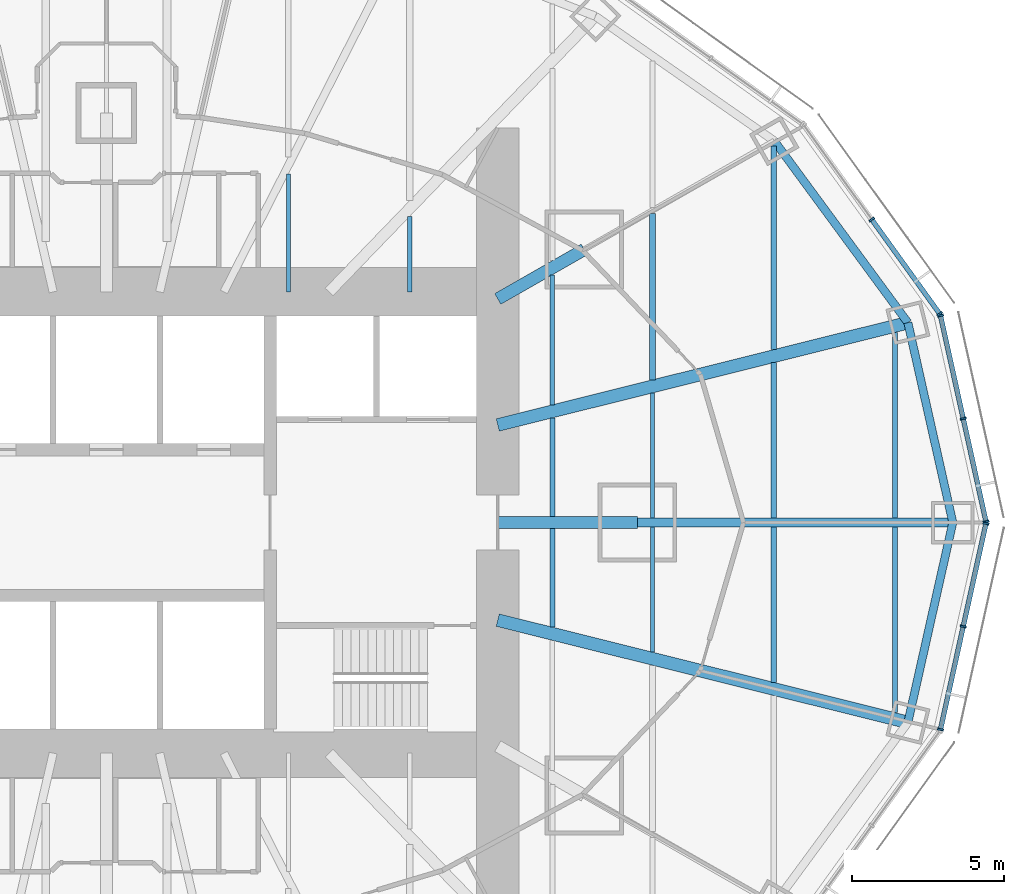
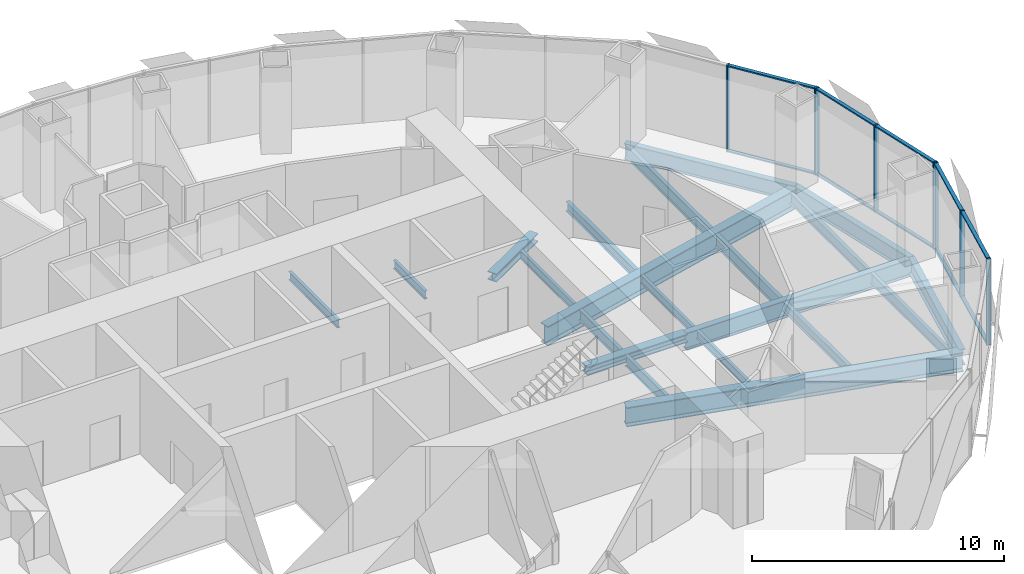
# One storey, part 6 of 18: 21 beams, 18 members, 3 elements without a shape of their own.
"""IFC4 building model written with IfcOpenShell, lengths in metres."""

from ifc_helpers import new_model, si_unit, direction, frame, origin, origin_2d, place, context, subcontext, project, spatial, rectangle, i_section, extrude, material, material_profile, profile_set, type_object, element, aggregate, save


model = new_model("IFC4")

# Units and contexts
model_context = context("Model", 3, precision=1e-05, world=origin(), true_north=direction((0.0, 1.0)))
body_context = subcontext(model_context, "Body", "Model", "MODEL_VIEW")
ifc_project = project(units=[si_unit("LENGTHUNIT", "METRE"), si_unit("AREAUNIT", "SQUARE_METRE"), si_unit("VOLUMEUNIT", "CUBIC_METRE"), si_unit("PLANEANGLEUNIT", "RADIAN"), si_unit("MASSUNIT", "GRAM", prefix="KILO")], contexts=[model_context])

# Site, building, storey
site_placement = place(None, origin())
site = spatial("IfcSite", under=ifc_project, at=site_placement, CompositionType="ELEMENT")
building_placement = place(site_placement, origin())
building = spatial("IfcBuilding", under=site, at=building_placement, Name="Lantaw Convention Tower", CompositionType="ELEMENT")
storey_placement = place(building_placement, frame((0.0, 0.0, 138.39990234375)))
storey = spatial("IfcBuildingStorey", under=building, at=storey_placement, Name="L32", CompositionType="ELEMENT", Elevation=138.39990234375)

# Beams
ifc_material_1 = material(Name="Steel ASTM A992", Category="steel")
ifc_material_profile_1 = material_profile(ifc_material_1, i_section(OverallWidth=0.2666015625, OverallDepth=0.76953125, WebThickness=0.015625, FlangeThickness=0.025390625, FilletRadius=0.0126953125, at=origin_2d()), Name="W30X132")
ifc_profile_set_1 = profile_set([ifc_material_profile_1], Name="Steel ASTM A992")
beam_type_1 = type_object("IfcBeamType", Name="Beam E W30X132", PredefinedType="SPANDREL", material=ifc_profile_set_1)
beam_1_placement = place(storey_placement, frame((27.89990234375, 0.0, -0.53466796875), z_axis=(-0.219211877447, 0.975677279015, 0.0), x_axis=(-0.975677279015, -0.219211877447, 0.0)))
element("IfcBeam", 1, at=beam_1_placement, inside=storey, type_object=beam_type_1, Name="Edge beam 1", PredefinedType="SPANDREL", context=body_context, shape_type="SweptSolid", body=[
    extrude(i_section(OverallWidth=0.2666015625, OverallDepth=0.76953125, WebThickness=0.015625, FlangeThickness=0.025390625, FilletRadius=0.0126953125, at=origin_2d()), origin(), (0.0, 0.0, 1.0), 6.75146484375),
])
beam_2_placement = place(storey_placement, frame((26.419921875, 6.587158203125, -0.53466796875), z_axis=(-0.5923891972, 0.805651934176, 0.0), x_axis=(-0.805651934176, -0.5923891972, 0.0)))
element("IfcBeam", 2, at=beam_2_placement, inside=storey, type_object=beam_type_1, Name="Edge beam 2", PredefinedType="SPANDREL", context=body_context, shape_type="SweptSolid", body=[
    extrude(i_section(OverallWidth=0.2666015625, OverallDepth=0.76953125, WebThickness=0.015625, FlangeThickness=0.025390625, FilletRadius=0.0126953125, at=origin_2d()), origin(), (0.0, 0.0, 1.0), 7.437744140625),
])
beam_3_placement = place(storey_placement, frame((26.419921875, -6.587158203125, -0.53466796875), z_axis=(0.219211877447, 0.975677279015, 0.0), x_axis=(-0.975677279015, 0.219211877447, 0.0)))
element("IfcBeam", 3, at=beam_3_placement, inside=storey, type_object=beam_type_1, Name="Edge beam 24", PredefinedType="SPANDREL", context=body_context, shape_type="SweptSolid", body=[
    extrude(i_section(OverallWidth=0.2666015625, OverallDepth=0.76953125, WebThickness=0.015625, FlangeThickness=0.025390625, FilletRadius=0.0126953125, at=origin_2d()), origin(), (0.0, 0.0, 1.0), 6.75146484375),
])
ifc_material_profile_2 = material_profile(ifc_material_1, i_section(OverallWidth=0.2919921875, OverallDepth=0.845703125, WebThickness=0.015380859375, FlangeThickness=0.0244140625, FilletRadius=0.01513671875, at=origin_2d()), Name="W33X141")
ifc_profile_set_2 = profile_set([ifc_material_profile_2], Name="Steel ASTM A992")
beam_type_2 = type_object("IfcBeamType", Name="Beam G W33X141", PredefinedType="BEAM", material=ifc_profile_set_2)
beam_4_placement = place(storey_placement, frame((17.5, 0.0, -0.57275390625), z_axis=(1.0, 0.0, 0.0), x_axis=(0.0, 1.0, 0.0)))
element("IfcBeam", 4, at=beam_4_placement, inside=storey, type_object=beam_type_2, Name="Floor girder on ray 1", PredefinedType="BEAM", context=body_context, shape_type="SweptSolid", body=[
    extrude(i_section(OverallWidth=0.2919921875, OverallDepth=0.845703125, WebThickness=0.015380859375, FlangeThickness=0.0244140625, FilletRadius=0.01513671875, at=origin_2d()), origin(), (0.0, 0.0, 1.0), 10.39990234375),
])
ifc_material_profile_3 = material_profile(ifc_material_1, i_section(OverallWidth=0.421630859375, OverallDepth=0.937255859375, WebThickness=0.0224609375, FlangeThickness=0.039794921875, FilletRadius=0.02001953125, at=origin_2d()), Name="W36X282")
ifc_profile_set_3 = profile_set([ifc_material_profile_3], Name="Steel ASTM A992")
beam_type_3 = type_object("IfcBeamType", Name="Beam G W36X282", PredefinedType="BEAM", material=ifc_profile_set_3)
for number, where, z_axis, x_axis, name in (
    (5, (12.89990234375, 3.21630859375, -0.61865234375), (0.970296903132, 0.24191717544, 0.0), (-0.24191717544, 0.970296903132, 0.0), "Floor girder on ray 2"),
    (6, (12.89990234375, -3.21630859375, -0.61865234375), (0.970296903132, -0.24191717544, 0.0), (0.24191717544, 0.970296903132, 0.0), "Floor girder on ray 24"),
):
    element("IfcBeam", number, at=place(storey_placement, frame(where, z_axis=z_axis, x_axis=x_axis)), inside=storey, type_object=beam_type_3, Name=name, PredefinedType="BEAM", context=body_context, shape_type="SweptSolid", body=[
        extrude(i_section(OverallWidth=0.421630859375, OverallDepth=0.937255859375, WebThickness=0.0224609375, FlangeThickness=0.039794921875, FilletRadius=0.02001953125, at=origin_2d()), origin(), (0.0, 0.0, 1.0), 13.933837890625),
    ])
ifc_material_profile_4 = material_profile(ifc_material_1, i_section(OverallWidth=0.40380859375, OverallDepth=0.406494140625, WebThickness=0.027099609375, FlangeThickness=0.043701171875, FilletRadius=0.01513671875, at=origin_2d()), Name="W14X233")
ifc_profile_set_4 = profile_set([ifc_material_profile_4], Name="Steel ASTM A992")
beam_type_4 = type_object("IfcBeamType", Name="Beam GM W14X233", PredefinedType="BEAM", material=ifc_profile_set_4)
beam_5_placement = place(storey_placement, frame((12.89990234375, 0.0, -0.35302734375), z_axis=(1.0, 0.0, 0.0), x_axis=(0.0, 1.0, 0.0)))
element("IfcBeam", 7, at=beam_5_placement, inside=storey, type_object=beam_type_4, Name="Core link beam on ray 1", PredefinedType="BEAM", context=body_context, shape_type="SweptSolid", body=[
    extrude(i_section(OverallWidth=0.40380859375, OverallDepth=0.406494140625, WebThickness=0.027099609375, FlangeThickness=0.043701171875, FilletRadius=0.01513671875, at=origin_2d()), origin(), (0.0, 0.0, 1.0), 4.60009765625),
])
beam_6_placement = place(storey_placement, frame((12.89990234375, 7.371337890625, -0.35302734375), z_axis=(0.868238565244, 0.496146947811, 0.0), x_axis=(-0.496146947811, 0.868238565244, 0.0)))
element("IfcBeam", 8, at=beam_6_placement, inside=storey, type_object=beam_type_4, Name="Core link beam on ray 3", PredefinedType="BEAM", context=body_context, shape_type="SweptSolid", body=[
    extrude(i_section(OverallWidth=0.40380859375, OverallDepth=0.406494140625, WebThickness=0.027099609375, FlangeThickness=0.043701171875, FilletRadius=0.01513671875, at=origin_2d()), origin(), (0.0, 0.0, 1.0), 3.28271484375),
])
ifc_material_profile_5 = material_profile(ifc_material_1, i_section(OverallWidth=0.140380859375, OverallDepth=0.40380859375, WebThickness=0.007080078125, FlangeThickness=0.01123046875, FilletRadius=0.01025390625, at=origin_2d()), Name="W16X31")
ifc_profile_set_5 = profile_set([ifc_material_profile_5], Name="Steel ASTM A992")
beam_type_5 = type_object("IfcBeamType", Name="Beam J W16X31", PredefinedType="JOIST", material=ifc_profile_set_5)
beam_7_placement = place(storey_placement, frame((6.0, 7.60009765625, -0.351806640625), z_axis=(0.0, 1.0, 0.0), x_axis=(-1.0, 0.0, 0.0)))
element("IfcBeam", 9, at=beam_7_placement, inside=storey, type_object=beam_type_5, Name="Floor joist", PredefinedType="JOIST", context=body_context, shape_type="SweptSolid", body=[
    extrude(i_section(OverallWidth=0.140380859375, OverallDepth=0.40380859375, WebThickness=0.007080078125, FlangeThickness=0.01123046875, FilletRadius=0.01025390625, at=origin_2d()), origin(), (0.0, 0.0, 1.0), 3.895751953125),
])
beam_8_placement = place(storey_placement, frame((10.0, 7.60009765625, -0.351806640625), z_axis=(0.0, 1.0, 0.0), x_axis=(-1.0, 0.0, 0.0)))
element("IfcBeam", 10, at=beam_8_placement, inside=storey, type_object=beam_type_5, Name="Floor joist", PredefinedType="JOIST", context=body_context, shape_type="SweptSolid", body=[
    extrude(i_section(OverallWidth=0.140380859375, OverallDepth=0.40380859375, WebThickness=0.007080078125, FlangeThickness=0.01123046875, FilletRadius=0.01025390625, at=origin_2d()), origin(), (0.0, 0.0, 1.0), 2.49560546875),
])
beam_9_placement = place(storey_placement, frame((14.699951171875, 3.88232421875, -0.351806640625), z_axis=(0.0, 1.0, 0.0), x_axis=(-1.0, 0.0, 0.0)))
element("IfcBeam", 11, at=beam_9_placement, inside=storey, type_object=beam_type_5, Name="Floor joist", PredefinedType="JOIST", context=body_context, shape_type="SweptSolid", body=[
    extrude(i_section(OverallWidth=0.140380859375, OverallDepth=0.40380859375, WebThickness=0.007080078125, FlangeThickness=0.01123046875, FilletRadius=0.01025390625, at=origin_2d()), origin(), (0.0, 0.0, 1.0), 4.28515625),
])
for number, where, z_axis, x_axis, name in (
    (12, (18.0, -4.270751953125, -0.351806640625), (0.0, 1.0, 0.0), (-1.0, 0.0, 0.0), "Floor joist"),
    (13, (18.0, 0.14599609375, -0.351806640625), (0.0, 1.0, 0.0), (-1.0, 0.0, 0.0), "Floor joist"),
):
    element("IfcBeam", number, at=place(storey_placement, frame(where, z_axis=z_axis, x_axis=x_axis)), inside=storey, type_object=beam_type_5, Name=name, PredefinedType="JOIST", context=body_context, shape_type="SweptSolid", body=[
        extrude(i_section(OverallWidth=0.140380859375, OverallDepth=0.40380859375, WebThickness=0.007080078125, FlangeThickness=0.01123046875, FilletRadius=0.01025390625, at=origin_2d()), origin(), (0.0, 0.0, 1.0), 4.124755859375),
    ])
ifc_material_profile_6 = material_profile(ifc_material_1, i_section(OverallWidth=0.1904296875, OverallDepth=0.457275390625, WebThickness=0.009033203125, FlangeThickness=0.014404296875, FilletRadius=0.01025390625, at=origin_2d()), Name="W18X50")
ifc_profile_set_6 = profile_set([ifc_material_profile_6], Name="Steel ASTM A992")
beam_type_6 = type_object("IfcBeamType", Name="Beam J W18X50", PredefinedType="JOIST", material=ifc_profile_set_6)
beam_10_placement = place(storey_placement, frame((18.0, 4.705078125, -0.37841796875), z_axis=(0.0, 1.0, 0.0), x_axis=(-1.0, 0.0, 0.0)))
element("IfcBeam", 14, at=beam_10_placement, inside=storey, type_object=beam_type_6, Name="Floor joist", PredefinedType="JOIST", context=body_context, shape_type="SweptSolid", body=[
    extrude(i_section(OverallWidth=0.1904296875, OverallDepth=0.457275390625, WebThickness=0.009033203125, FlangeThickness=0.014404296875, FilletRadius=0.01025390625, at=origin_2d()), origin(), (0.0, 0.0, 1.0), 5.47802734375),
])
beam_11_placement = place(storey_placement, frame((22.0, -5.267822265625, -0.37841796875), z_axis=(0.0, 1.0, 0.0), x_axis=(-1.0, 0.0, 0.0)))
element("IfcBeam", 15, at=beam_11_placement, inside=storey, type_object=beam_type_6, Name="Floor joist", PredefinedType="JOIST", context=body_context, shape_type="SweptSolid", body=[
    extrude(i_section(OverallWidth=0.1904296875, OverallDepth=0.457275390625, WebThickness=0.009033203125, FlangeThickness=0.014404296875, FilletRadius=0.01025390625, at=origin_2d()), origin(), (0.0, 0.0, 1.0), 5.121826171875),
])
ifc_material_profile_7 = material_profile(ifc_material_1, i_section(OverallWidth=0.1650390625, OverallDepth=0.52587890625, WebThickness=0.0087890625, FlangeThickness=0.011474609375, FilletRadius=0.0126953125, at=origin_2d()), Name="W21X44")
ifc_profile_set_7 = profile_set([ifc_material_profile_7], Name="Steel ASTM A992")
beam_type_7 = type_object("IfcBeamType", Name="Beam J W21X44", PredefinedType="JOIST", material=ifc_profile_set_7)
for number, where, z_axis, x_axis, name in (
    (16, (26.0, -6.26513671875, -0.412841796875), (0.0, 1.0, 0.0), (-1.0, 0.0, 0.0), "Floor joist"),
    (17, (26.0, 0.14599609375, -0.412841796875), (0.0, 1.0, 0.0), (-1.0, 0.0, 0.0), "Floor joist"),
):
    element("IfcBeam", number, at=place(storey_placement, frame(where, z_axis=z_axis, x_axis=x_axis)), inside=storey, type_object=beam_type_7, Name=name, PredefinedType="JOIST", context=body_context, shape_type="SweptSolid", body=[
        extrude(i_section(OverallWidth=0.1650390625, OverallDepth=0.52587890625, WebThickness=0.0087890625, FlangeThickness=0.011474609375, FilletRadius=0.0126953125, at=origin_2d()), origin(), (0.0, 0.0, 1.0), 6.119140625),
    ])
ifc_material_profile_8 = material_profile(ifc_material_1, i_section(OverallWidth=0.165771484375, OverallDepth=0.5283203125, WebThickness=0.009765625, FlangeThickness=0.013671875, FilletRadius=0.012939453125, at=origin_2d()), Name="W21X50")
ifc_profile_set_8 = profile_set([ifc_material_profile_8], Name="Steel ASTM A992")
beam_type_8 = type_object("IfcBeamType", Name="Beam J W21X50", PredefinedType="JOIST", material=ifc_profile_set_8)
for number, where, z_axis, x_axis, name in (
    (18, (14.699951171875, -3.44775390625, -0.4140625), (0.0, 1.0, 0.0), (-1.0, 0.0, 0.0), "Floor joist"),
    (19, (14.699951171875, 0.201904296875, -0.4140625), (0.0, 1.0, 0.0), (-1.0, 0.0, 0.0), "Floor joist"),
):
    element("IfcBeam", number, at=place(storey_placement, frame(where, z_axis=z_axis, x_axis=x_axis)), inside=storey, type_object=beam_type_8, Name=name, PredefinedType="JOIST", context=body_context, shape_type="SweptSolid", body=[
        extrude(i_section(OverallWidth=0.165771484375, OverallDepth=0.5283203125, WebThickness=0.009765625, FlangeThickness=0.013671875, FilletRadius=0.012939453125, at=origin_2d()), origin(), (0.0, 0.0, 1.0), 3.245849609375),
    ])
ifc_material_profile_9 = material_profile(ifc_material_1, i_section(OverallWidth=0.177978515625, OverallDepth=0.599365234375, WebThickness=0.010009765625, FlangeThickness=0.012939453125, FilletRadius=0.012939453125, at=origin_2d()), Name="W24X55")
ifc_profile_set_9 = profile_set([ifc_material_profile_9], Name="Steel ASTM A992")
beam_type_9 = type_object("IfcBeamType", Name="Beam J W24X55", PredefinedType="JOIST", material=ifc_profile_set_9)
beam_12_placement = place(storey_placement, frame((22.0, 0.14599609375, -0.44970703125), z_axis=(0.0, 1.0, 0.0), x_axis=(-1.0, 0.0, 0.0)))
element("IfcBeam", 20, at=beam_12_placement, inside=storey, type_object=beam_type_9, Name="Floor joist", PredefinedType="JOIST", context=body_context, shape_type="SweptSolid", body=[
    extrude(i_section(OverallWidth=0.177978515625, OverallDepth=0.599365234375, WebThickness=0.010009765625, FlangeThickness=0.012939453125, FilletRadius=0.012939453125, at=origin_2d()), origin(), (0.0, 0.0, 1.0), 5.121826171875),
])
beam_13_placement = place(storey_placement, frame((22.0, 5.702392578125, -0.44970703125), z_axis=(0.0, 1.0, 0.0), x_axis=(-1.0, 0.0, 0.0)))
element("IfcBeam", 21, at=beam_13_placement, inside=storey, type_object=beam_type_9, Name="Floor joist", PredefinedType="JOIST", context=body_context, shape_type="SweptSolid", body=[
    extrude(i_section(OverallWidth=0.177978515625, OverallDepth=0.599365234375, WebThickness=0.010009765625, FlangeThickness=0.012939453125, FilletRadius=0.012939453125, at=origin_2d()), origin(), (0.0, 0.0, 1.0), 6.70654296875),
])

# Curtain wall, members
ifc_material_2 = material(Name="Aluminium framed curtain wall", Category="aluminium")
curtain_wall_type = type_object("IfcCurtainWallType", Name="Office curtain wall low rise, pale aluminium", PredefinedType="USERDEFINED", material=ifc_material_2)
curtain_wall_1_placement = place(storey_placement, origin())
curtain_wall_1 = element("IfcCurtainWall", 22, at=curtain_wall_1_placement, inside=storey, type_object=curtain_wall_type, Name="Office curtain wall low rise, pale aluminium L32", ObjectType="UNITISED CURTAIN WALL", PredefinedType="USERDEFINED")
ifc_material_3 = material(Name="Aluminium 6063-T6", Category="aluminium")
ifc_material_profile_10 = material_profile(ifc_material_3, rectangle(XDim=0.199951171875, YDim=0.06494140625, at=origin_2d()), Name="CW-O1 mullion 65x200")
ifc_profile_set_10 = profile_set([ifc_material_profile_10], Name="Aluminium 6063-T6")
member_type_1 = type_object("IfcMemberType", Name="CW-O1 mullion 65x200", PredefinedType="MULLION", material=ifc_profile_set_10)
member_1_placement = place(storey_placement, frame((28.992919921875, 0.03173828125, -0.14990234375), z_axis=(0.0, 0.0, 1.0), x_axis=(-0.9764936509, -0.215546166174, 0.0)))
member_1 = element("IfcMember", 23, at=member_1_placement, type_object=member_type_1, Name="CW-O1 mullion 1", PredefinedType="MULLION", context=body_context, shape_type="SweptSolid", body=[
    extrude(rectangle(XDim=0.199951171875, YDim=0.06494140625, at=origin_2d()), origin(), (0.0, 0.0, 1.0), 4.199951171875),
])
member_2_placement = place(storey_placement, frame((28.24365234375, 3.4267578125, -0.14990234375), z_axis=(0.0, 0.0, 1.0), x_axis=(-0.9764936509, -0.215546166174, 0.0)))
member_2 = element("IfcMember", 24, at=member_2_placement, type_object=member_type_1, Name="CW-O1 mullion 2", PredefinedType="MULLION", context=body_context, shape_type="SweptSolid", body=[
    extrude(rectangle(XDim=0.199951171875, YDim=0.06494140625, at=origin_2d()), origin(), (0.0, 0.0, 1.0), 4.199951171875),
])
member_3_placement = place(storey_placement, frame((27.494140625, 6.821533203125, -0.14990234375), z_axis=(0.0, 0.0, 1.0), x_axis=(-0.9764936509, -0.215546166174, 0.0)))
member_3 = element("IfcMember", 25, at=member_3_placement, type_object=member_type_1, Name="CW-O1 mullion 3", PredefinedType="MULLION", context=body_context, shape_type="SweptSolid", body=[
    extrude(rectangle(XDim=0.199951171875, YDim=0.06494140625, at=origin_2d()), origin(), (0.0, 0.0, 1.0), 4.199951171875),
])

curtain_wall_2_placement = place(storey_placement, origin())
curtain_wall_2 = element("IfcCurtainWall", 26, at=curtain_wall_2_placement, inside=storey, type_object=curtain_wall_type, Name="Office curtain wall low rise, pale aluminium L32", ObjectType="UNITISED CURTAIN WALL", PredefinedType="USERDEFINED")
member_4_placement = place(storey_placement, frame((27.46826171875, 6.879638671875, -0.14990234375), z_axis=(0.0, 0.0, 1.0), x_axis=(-0.811384633629, -0.584512597221, 0.0)))
member_4 = element("IfcMember", 27, at=member_4_placement, type_object=member_type_1, Name="CW-O1 mullion 1", PredefinedType="MULLION", context=body_context, shape_type="SweptSolid", body=[
    extrude(rectangle(XDim=0.199951171875, YDim=0.06494140625, at=origin_2d()), origin(), (0.0, 0.0, 1.0), 4.199951171875),
])
member_5_placement = place(storey_placement, frame((25.22802734375, 9.9892578125, -0.14990234375), z_axis=(0.0, 0.0, 1.0), x_axis=(-0.811384633629, -0.584512597221, 0.0)))
member_5 = element("IfcMember", 28, at=member_5_placement, type_object=member_type_1, Name="CW-O1 mullion 2", PredefinedType="MULLION", context=body_context, shape_type="SweptSolid", body=[
    extrude(rectangle(XDim=0.199951171875, YDim=0.06494140625, at=origin_2d()), origin(), (0.0, 0.0, 1.0), 4.199951171875),
])

curtain_wall_3_placement = place(storey_placement, origin())
curtain_wall_3 = element("IfcCurtainWall", 29, at=curtain_wall_3_placement, inside=storey, type_object=curtain_wall_type, Name="Office curtain wall low rise, pale aluminium L32", ObjectType="UNITISED CURTAIN WALL", PredefinedType="USERDEFINED")
member_6_placement = place(storey_placement, frame((27.494140625, -6.821533203125, -0.14990234375), z_axis=(0.0, 0.0, 1.0), x_axis=(-0.9764936509, 0.215546166174, 0.0)))
member_6 = element("IfcMember", 30, at=member_6_placement, type_object=member_type_1, Name="CW-O1 mullion 1", PredefinedType="MULLION", context=body_context, shape_type="SweptSolid", body=[
    extrude(rectangle(XDim=0.199951171875, YDim=0.06494140625, at=origin_2d()), origin(), (0.0, 0.0, 1.0), 4.199951171875),
])
member_7_placement = place(storey_placement, frame((28.24365234375, -3.4267578125, -0.14990234375), z_axis=(0.0, 0.0, 1.0), x_axis=(-0.9764936509, 0.215546166174, 0.0)))
member_7 = element("IfcMember", 31, at=member_7_placement, type_object=member_type_1, Name="CW-O1 mullion 2", PredefinedType="MULLION", context=body_context, shape_type="SweptSolid", body=[
    extrude(rectangle(XDim=0.199951171875, YDim=0.06494140625, at=origin_2d()), origin(), (0.0, 0.0, 1.0), 4.199951171875),
])
member_8_placement = place(storey_placement, frame((28.992919921875, -0.03173828125, -0.14990234375), z_axis=(0.0, 0.0, 1.0), x_axis=(-0.9764936509, 0.215546166174, 0.0)))
member_8 = element("IfcMember", 32, at=member_8_placement, type_object=member_type_1, Name="CW-O1 mullion 3", PredefinedType="MULLION", context=body_context, shape_type="SweptSolid", body=[
    extrude(rectangle(XDim=0.199951171875, YDim=0.06494140625, at=origin_2d()), origin(), (0.0, 0.0, 1.0), 4.199951171875),
])

# Member
ifc_material_profile_11 = material_profile(ifc_material_3, rectangle(XDim=0.159912109375, YDim=0.06494140625, at=origin_2d()), Name="CW-O1 transom 65x160")
ifc_profile_set_11 = profile_set([ifc_material_profile_11], Name="Aluminium 6063-T6")
member_type_2 = type_object("IfcMemberType", Name="CW-O1 transom 65x160", PredefinedType="USERDEFINED", material=ifc_profile_set_11)
member_9_placement = place(storey_placement, frame((28.986083984375, 0.0634765625, -0.117431640625), z_axis=(-0.215536096386, 0.976495873598, 0.0), x_axis=(-0.976495873598, -0.215536096386, 0.0)))
member_9 = element("IfcMember", 33, at=member_9_placement, type_object=member_type_2, Name="CW-O1 transom 1.1", ObjectType="TRANSOM", PredefinedType="USERDEFINED", context=body_context, shape_type="SweptSolid", body=[
    extrude(rectangle(XDim=0.159912109375, YDim=0.06494140625, at=origin_2d()), origin(), (0.0, 0.0, 1.0), 3.41162109375),
])

member_10_placement = place(storey_placement, frame((28.986083984375, 0.0634765625, 4.017578125), z_axis=(-0.215536096386, 0.976495873598, 0.0), x_axis=(-0.976495873598, -0.215536096386, 0.0)))
member_10 = element("IfcMember", 34, at=member_10_placement, type_object=member_type_2, Name="CW-O1 transom 1.2", ObjectType="TRANSOM", PredefinedType="USERDEFINED", context=body_context, shape_type="SweptSolid", body=[
    extrude(rectangle(XDim=0.159912109375, YDim=0.06494140625, at=origin_2d()), origin(), (0.0, 0.0, 1.0), 3.41162109375),
])

member_11_placement = place(storey_placement, frame((28.236572265625, 3.45849609375, -0.117431640625), z_axis=(-0.21555115847, 0.976492548913, 0.0), x_axis=(-0.976492548913, -0.21555115847, 0.0)))
member_11 = element("IfcMember", 35, at=member_11_placement, type_object=member_type_2, Name="CW-O1 transom 2.1", ObjectType="TRANSOM", PredefinedType="USERDEFINED", context=body_context, shape_type="SweptSolid", body=[
    extrude(rectangle(XDim=0.159912109375, YDim=0.06494140625, at=origin_2d()), origin(), (0.0, 0.0, 1.0), 3.411376953125),
])

member_12_placement = place(storey_placement, frame((28.236572265625, 3.45849609375, 4.017578125), z_axis=(-0.21555115847, 0.976492548913, 0.0), x_axis=(-0.976492548913, -0.21555115847, 0.0)))
member_12 = element("IfcMember", 36, at=member_12_placement, type_object=member_type_2, Name="CW-O1 transom 2.2", ObjectType="TRANSOM", PredefinedType="USERDEFINED", context=body_context, shape_type="SweptSolid", body=[
    extrude(rectangle(XDim=0.159912109375, YDim=0.06494140625, at=origin_2d()), origin(), (0.0, 0.0, 1.0), 3.411376953125),
])

aggregate(curtain_wall_1, [member_1, member_2, member_3, member_9, member_10, member_11, member_12])

member_13_placement = place(storey_placement, frame((27.44921875, 6.906005859375, -0.117431640625), z_axis=(-0.584512973979, 0.811384362217, 0.0), x_axis=(-0.811384362217, -0.584512973979, 0.0)))
member_13 = element("IfcMember", 37, at=member_13_placement, type_object=member_type_2, Name="CW-O1 transom 1.1", ObjectType="TRANSOM", PredefinedType="USERDEFINED", context=body_context, shape_type="SweptSolid", body=[
    extrude(rectangle(XDim=0.159912109375, YDim=0.06494140625, at=origin_2d()), origin(), (0.0, 0.0, 1.0), 3.767578125),
])

member_14_placement = place(storey_placement, frame((27.44921875, 6.906005859375, 4.017578125), z_axis=(-0.584512973979, 0.811384362217, 0.0), x_axis=(-0.811384362217, -0.584512973979, 0.0)))
member_14 = element("IfcMember", 38, at=member_14_placement, type_object=member_type_2, Name="CW-O1 transom 1.2", ObjectType="TRANSOM", PredefinedType="USERDEFINED", context=body_context, shape_type="SweptSolid", body=[
    extrude(rectangle(XDim=0.159912109375, YDim=0.06494140625, at=origin_2d()), origin(), (0.0, 0.0, 1.0), 3.767578125),
])

aggregate(curtain_wall_2, [member_4, member_5, member_13, member_14])

member_15_placement = place(storey_placement, frame((27.501220703125, -6.789794921875, -0.117431640625), z_axis=(0.21555115847, 0.976492548913, 0.0), x_axis=(-0.976492548913, 0.21555115847, 0.0)))
member_15 = element("IfcMember", 39, at=member_15_placement, type_object=member_type_2, Name="CW-O1 transom 1.1", ObjectType="TRANSOM", PredefinedType="USERDEFINED", context=body_context, shape_type="SweptSolid", body=[
    extrude(rectangle(XDim=0.159912109375, YDim=0.06494140625, at=origin_2d()), origin(), (0.0, 0.0, 1.0), 3.411376953125),
])

member_16_placement = place(storey_placement, frame((27.501220703125, -6.789794921875, 4.017578125), z_axis=(0.21555115847, 0.976492548913, 0.0), x_axis=(-0.976492548913, 0.21555115847, 0.0)))
member_16 = element("IfcMember", 40, at=member_16_placement, type_object=member_type_2, Name="CW-O1 transom 1.2", ObjectType="TRANSOM", PredefinedType="USERDEFINED", context=body_context, shape_type="SweptSolid", body=[
    extrude(rectangle(XDim=0.159912109375, YDim=0.06494140625, at=origin_2d()), origin(), (0.0, 0.0, 1.0), 3.411376953125),
])

member_17_placement = place(storey_placement, frame((28.250732421875, -3.39501953125, -0.117431640625), z_axis=(0.215536096386, 0.976495873598, 0.0), x_axis=(-0.976495873598, 0.215536096386, 0.0)))
member_17 = element("IfcMember", 41, at=member_17_placement, type_object=member_type_2, Name="CW-O1 transom 2.1", ObjectType="TRANSOM", PredefinedType="USERDEFINED", context=body_context, shape_type="SweptSolid", body=[
    extrude(rectangle(XDim=0.159912109375, YDim=0.06494140625, at=origin_2d()), origin(), (0.0, 0.0, 1.0), 3.41162109375),
])

member_18_placement = place(storey_placement, frame((28.250732421875, -3.39501953125, 4.017578125), z_axis=(0.215536096386, 0.976495873598, 0.0), x_axis=(-0.976495873598, 0.215536096386, 0.0)))
member_18 = element("IfcMember", 42, at=member_18_placement, type_object=member_type_2, Name="CW-O1 transom 2.2", ObjectType="TRANSOM", PredefinedType="USERDEFINED", context=body_context, shape_type="SweptSolid", body=[
    extrude(rectangle(XDim=0.159912109375, YDim=0.06494140625, at=origin_2d()), origin(), (0.0, 0.0, 1.0), 3.41162109375),
])

aggregate(curtain_wall_3, [member_6, member_7, member_8, member_15, member_16, member_17, member_18])

save(model, "model.ifc")
